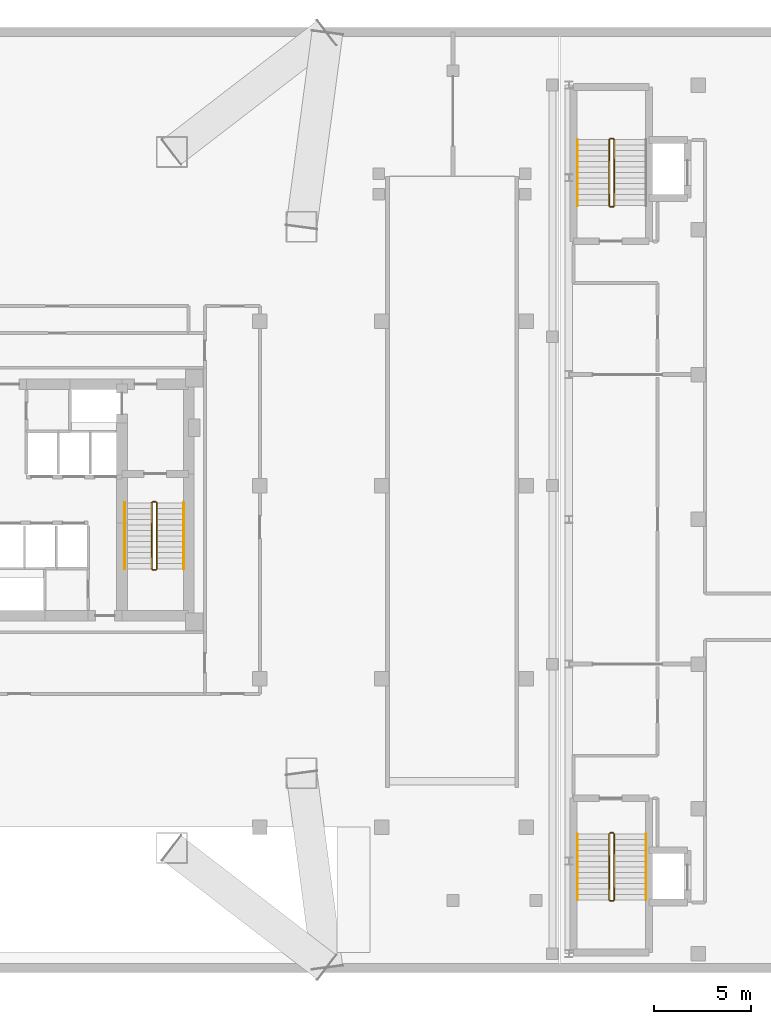
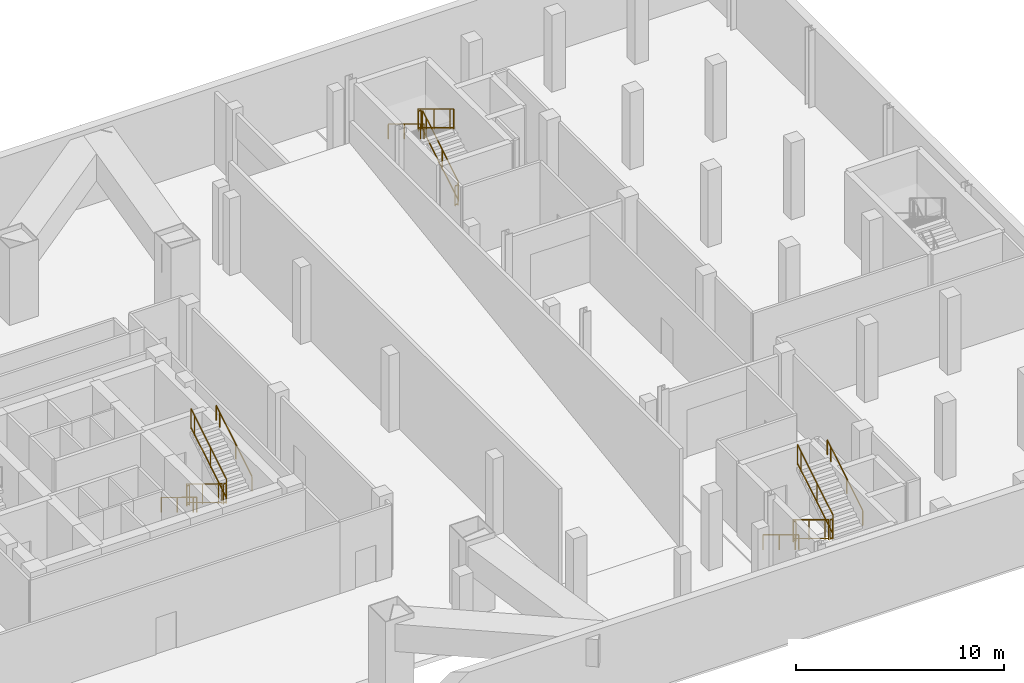
# One storey, part 13 of 14: 17 railings.
"""IFC4 building model written with IfcOpenShell, lengths in metres."""

from ifc_helpers import new_model, si_unit, direction, frame, origin, origin_2d, place, context, subcontext, project, spatial, rectangle, extrude, material, type_object, element, save


model = new_model("IFC4")

# Units and contexts
model_context = context("Model", 3, precision=1e-05, world=origin(), true_north=direction((0.0, 1.0)))
body_context = subcontext(model_context, "Body", "Model", "MODEL_VIEW")
ifc_project = project(units=[si_unit("LENGTHUNIT", "METRE"), si_unit("AREAUNIT", "SQUARE_METRE"), si_unit("VOLUMEUNIT", "CUBIC_METRE"), si_unit("PLANEANGLEUNIT", "RADIAN"), si_unit("MASSUNIT", "GRAM", prefix="KILO")], contexts=[model_context])

# Site, building, storey
site_placement = place(None, origin())
site = spatial("IfcSite", under=ifc_project, at=site_placement, CompositionType="ELEMENT")
building_placement = place(site_placement, origin())
building = spatial("IfcBuilding", under=site, at=building_placement, Name="Mersakhor Tower and Convention Hall", CompositionType="ELEMENT")
storey_placement = place(building_placement, frame((0.0, 0.0, -4.5)))
storey = spatial("IfcBuildingStorey", under=building, at=storey_placement, Name="B01", CompositionType="ELEMENT", Elevation=-4.5)

# Railings
ifc_material_1 = material(Name="Brushed stainless steel handrail", Category="steel")
railing_type_1 = type_object("IfcRailingType", Name="RL-HR-900", PredefinedType="HANDRAIL", material=ifc_material_1)
railing_1_placement = place(storey_placement, frame((32.5, 26.60009765625, 0.173095703125)))
element("IfcRailing", 1, at=railing_1_placement, inside=storey, type_object=railing_type_1, Name="B01 ST-2 stair handrail 1", PredefinedType="HANDRAIL", context=body_context, shape_type="SweptSolid", body=[
    extrude(rectangle(XDim=0.048095703125, YDim=0.048095703125, at=origin_2d()), frame((0.0, 0.0, 0.8759765625), z_axis=(0.0, -0.854745945586, 0.519046595696), x_axis=(1.0, 0.0, 0.0)), (0.0, 0.0, 1.0), 4.00146484375),
    extrude(rectangle(XDim=0.0419921875, YDim=0.0419921875, at=origin_2d()), origin(), (0.0, 0.0, 1.0), 0.851806640625),
    extrude(rectangle(XDim=0.0419921875, YDim=0.0419921875, at=origin_2d()), frame((0.0, -1.53857421875, 0.934326171875)), (0.0, 0.0, 1.0), 0.851806640625),
    extrude(rectangle(XDim=0.0419921875, YDim=0.0419921875, at=origin_2d()), frame((0.0, -3.0771484375, 1.86865234375)), (0.0, 0.0, 1.0), 0.851806640625),
    extrude(rectangle(XDim=0.0419921875, YDim=0.0419921875, at=origin_2d()), frame((0.0, -3.420166015625, 2.076904296875)), (0.0, 0.0, 1.0), 0.851806640625),
])
railing_2_placement = place(storey_placement, frame((35.550048828125, 23.179931640625, 2.423095703125)))
element("IfcRailing", 2, at=railing_2_placement, inside=storey, type_object=railing_type_1, Name="B01 ST-2 stair handrail 2", PredefinedType="HANDRAIL", context=body_context, shape_type="SweptSolid", body=[
    extrude(rectangle(XDim=0.048095703125, YDim=0.048095703125, at=origin_2d()), frame((0.0, 0.0, 0.8759765625), z_axis=(0.0, 0.854745945586, 0.519046595696), x_axis=(-1.0, 0.0, 0.0)), (0.0, 0.0, 1.0), 4.00146484375),
    extrude(rectangle(XDim=0.0419921875, YDim=0.0419921875, at=origin_2d()), origin(), (0.0, 0.0, 1.0), 0.851806640625),
    extrude(rectangle(XDim=0.0419921875, YDim=0.0419921875, at=origin_2d()), frame((0.0, 1.53857421875, 0.934326171875)), (0.0, 0.0, 1.0), 0.851806640625),
    extrude(rectangle(XDim=0.0419921875, YDim=0.0419921875, at=origin_2d()), frame((0.0, 3.0771484375, 1.86865234375)), (0.0, 0.0, 1.0), 0.851806640625),
    extrude(rectangle(XDim=0.0419921875, YDim=0.0419921875, at=origin_2d()), frame((0.0, 3.420166015625, 2.076904296875)), (0.0, 0.0, 1.0), 0.851806640625),
])
railing_3_placement = place(storey_placement, frame((55.949951171875, 9.449951171875, 0.173095703125)))
element("IfcRailing", 3, at=railing_3_placement, inside=storey, type_object=railing_type_1, Name="B01 CH-ST1 stair handrail 1", PredefinedType="HANDRAIL", context=body_context, shape_type="SweptSolid", body=[
    extrude(rectangle(XDim=0.048095703125, YDim=0.048095703125, at=origin_2d()), frame((0.0, 0.0, 0.8759765625), z_axis=(0.0, -0.854729506542, 0.519073665916), x_axis=(1.0, 0.0, 0.0)), (0.0, 0.0, 1.0), 4.001220703125),
    extrude(rectangle(XDim=0.0419921875, YDim=0.0419921875, at=origin_2d()), origin(), (0.0, 0.0, 1.0), 0.851806640625),
    extrude(rectangle(XDim=0.0419921875, YDim=0.0419921875, at=origin_2d()), frame((0.0, -1.53857421875, 0.934326171875)), (0.0, 0.0, 1.0), 0.851806640625),
    extrude(rectangle(XDim=0.0419921875, YDim=0.0419921875, at=origin_2d()), frame((0.0, -3.076904296875, 1.86865234375)), (0.0, 0.0, 1.0), 0.851806640625),
    extrude(rectangle(XDim=0.0419921875, YDim=0.0419921875, at=origin_2d()), frame((0.0, -3.419921875, 2.076904296875)), (0.0, 0.0, 1.0), 0.851806640625),
])
railing_4_placement = place(storey_placement, frame((59.5, 6.030029296875, 2.423095703125)))
element("IfcRailing", 4, at=railing_4_placement, inside=storey, type_object=railing_type_1, Name="B01 CH-ST1 stair handrail 2", PredefinedType="HANDRAIL", context=body_context, shape_type="SweptSolid", body=[
    extrude(rectangle(XDim=0.048095703125, YDim=0.048095703125, at=origin_2d()), frame((0.0, 0.0, 0.8759765625), z_axis=(0.0, 0.854729506542, 0.519073665916), x_axis=(-1.0, 0.0, 0.0)), (0.0, 0.0, 1.0), 4.001220703125),
    extrude(rectangle(XDim=0.0419921875, YDim=0.0419921875, at=origin_2d()), origin(), (0.0, 0.0, 1.0), 0.851806640625),
    extrude(rectangle(XDim=0.0419921875, YDim=0.0419921875, at=origin_2d()), frame((0.0, 1.53857421875, 0.934326171875)), (0.0, 0.0, 1.0), 0.851806640625),
    extrude(rectangle(XDim=0.0419921875, YDim=0.0419921875, at=origin_2d()), frame((0.0, 3.076904296875, 1.86865234375)), (0.0, 0.0, 1.0), 0.851806640625),
    extrude(rectangle(XDim=0.0419921875, YDim=0.0419921875, at=origin_2d()), frame((0.0, 3.419921875, 2.076904296875)), (0.0, 0.0, 1.0), 0.851806640625),
])
railing_5_placement = place(storey_placement, frame((55.949951171875, 45.419921875, 2.423095703125)))
element("IfcRailing", 5, at=railing_5_placement, inside=storey, type_object=railing_type_1, Name="B01 CH-ST2 stair handrail 2", PredefinedType="HANDRAIL", context=body_context, shape_type="SweptSolid", body=[
    extrude(rectangle(XDim=0.048095703125, YDim=0.048095703125, at=origin_2d()), frame((0.0, 0.0, 0.8759765625), z_axis=(0.0, -0.854729506542, 0.519073665916), x_axis=(1.0, 0.0, 0.0)), (0.0, 0.0, 1.0), 4.001220703125),
    extrude(rectangle(XDim=0.0419921875, YDim=0.0419921875, at=origin_2d()), origin(), (0.0, 0.0, 1.0), 0.851806640625),
    extrude(rectangle(XDim=0.0419921875, YDim=0.0419921875, at=origin_2d()), frame((0.0, -1.53857421875, 0.934326171875)), (0.0, 0.0, 1.0), 0.851806640625),
    extrude(rectangle(XDim=0.0419921875, YDim=0.0419921875, at=origin_2d()), frame((0.0, -3.076904296875, 1.86865234375)), (0.0, 0.0, 1.0), 0.851806640625),
    extrude(rectangle(XDim=0.0419921875, YDim=0.0419921875, at=origin_2d()), frame((0.0, -3.419921875, 2.076904296875)), (0.0, 0.0, 1.0), 0.851806640625),
])
ifc_material_2 = material(Name="Painted steel stair balustrade S355", Category="steel")
railing_type_2 = type_object("IfcRailingType", Name="RL-STG-1200", PredefinedType="BALUSTRADE", material=ifc_material_2)
railing_6_placement = place(storey_placement, frame((33.89990234375, 26.60009765625, 0.173095703125)))
element("IfcRailing", 6, at=railing_6_placement, inside=storey, type_object=railing_type_2, Name="B01 ST-2 stair guard 1", PredefinedType="BALUSTRADE", context=body_context, shape_type="SweptSolid", body=[
    extrude(rectangle(XDim=0.048095703125, YDim=0.048095703125, at=origin_2d()), frame((0.0, 0.0, 1.17578125), z_axis=(0.0, -0.854745945586, 0.519046595696), x_axis=(1.0, 0.0, 0.0)), (0.0, 0.0, 1.0), 4.00146484375),
    extrude(rectangle(XDim=0.048095703125, YDim=0.048095703125, at=origin_2d()), frame((0.0, 0.0, 0.080078125), z_axis=(0.0, -0.854745945586, 0.519046595696), x_axis=(1.0, 0.0, 0.0)), (0.0, 0.0, 1.0), 4.00146484375),
    extrude(rectangle(XDim=0.0419921875, YDim=0.0419921875, at=origin_2d()), origin(), (0.0, 0.0, 1.0), 1.15185546875),
    extrude(rectangle(XDim=0.0419921875, YDim=0.0419921875, at=origin_2d()), frame((0.0, -1.53857421875, 0.934326171875)), (0.0, 0.0, 1.0), 1.15185546875),
    extrude(rectangle(XDim=0.0419921875, YDim=0.0419921875, at=origin_2d()), frame((0.0, -3.0771484375, 1.86865234375)), (0.0, 0.0, 1.0), 1.15185546875),
    extrude(rectangle(XDim=0.0419921875, YDim=0.0419921875, at=origin_2d()), frame((0.0, -3.420166015625, 2.076904296875)), (0.0, 0.0, 1.0), 1.15185546875),
])
railing_7_placement = place(storey_placement, frame((33.949951171875, 23.1298828125, 2.25)))
element("IfcRailing", 7, at=railing_7_placement, inside=storey, type_object=railing_type_2, Name="B01 ST-2 stair guard 2", PredefinedType="BALUSTRADE", context=body_context, shape_type="SweptSolid", body=[
    extrude(rectangle(XDim=0.048095703125, YDim=0.048095703125, at=origin_2d()), frame((0.0, 0.0, 1.17578125), z_axis=(1.0, 0.0, 0.0), x_axis=(0.0, 1.0, 0.0)), (0.0, 0.0, 1.0), 0.150146484375),
    extrude(rectangle(XDim=0.048095703125, YDim=0.048095703125, at=origin_2d()), frame((0.0, 0.0, 0.080078125), z_axis=(1.0, 0.0, 0.0), x_axis=(0.0, 1.0, 0.0)), (0.0, 0.0, 1.0), 0.150146484375),
    extrude(rectangle(XDim=0.0419921875, YDim=0.0419921875, at=origin_2d()), origin(), (0.0, 0.0, 1.0), 1.15185546875),
    extrude(rectangle(XDim=0.0419921875, YDim=0.0419921875, at=origin_2d()), frame((0.150146484375, 0.0, 0.0)), (0.0, 0.0, 1.0), 1.15185546875),
])
railing_8_placement = place(storey_placement, frame((34.14990234375, 23.179931640625, 2.423095703125)))
element("IfcRailing", 8, at=railing_8_placement, inside=storey, type_object=railing_type_2, Name="B01 ST-2 stair guard 3", PredefinedType="BALUSTRADE", context=body_context, shape_type="SweptSolid", body=[
    extrude(rectangle(XDim=0.048095703125, YDim=0.048095703125, at=origin_2d()), frame((0.0, 0.0, 1.17578125), z_axis=(0.0, 0.854745945586, 0.519046595696), x_axis=(-1.0, 0.0, 0.0)), (0.0, 0.0, 1.0), 4.00146484375),
    extrude(rectangle(XDim=0.048095703125, YDim=0.048095703125, at=origin_2d()), frame((0.0, 0.0, 0.080078125), z_axis=(0.0, 0.854745945586, 0.519046595696), x_axis=(-1.0, 0.0, 0.0)), (0.0, 0.0, 1.0), 4.00146484375),
    extrude(rectangle(XDim=0.0419921875, YDim=0.0419921875, at=origin_2d()), origin(), (0.0, 0.0, 1.0), 1.15185546875),
    extrude(rectangle(XDim=0.0419921875, YDim=0.0419921875, at=origin_2d()), frame((0.0, 1.53857421875, 0.934326171875)), (0.0, 0.0, 1.0), 1.15185546875),
    extrude(rectangle(XDim=0.0419921875, YDim=0.0419921875, at=origin_2d()), frame((0.0, 3.0771484375, 1.86865234375)), (0.0, 0.0, 1.0), 1.15185546875),
    extrude(rectangle(XDim=0.0419921875, YDim=0.0419921875, at=origin_2d()), frame((0.0, 3.420166015625, 2.076904296875)), (0.0, 0.0, 1.0), 1.15185546875),
])
railing_9_placement = place(storey_placement, frame((33.949951171875, 26.64990234375, 0.0)))
element("IfcRailing", 9, at=railing_9_placement, inside=storey, type_object=railing_type_2, Name="B01 ST-2 stair guard 4", PredefinedType="BALUSTRADE", context=body_context, shape_type="SweptSolid", body=[
    extrude(rectangle(XDim=0.048095703125, YDim=0.048095703125, at=origin_2d()), frame((0.0, 0.0, 1.17578125), z_axis=(1.0, 0.0, 0.0), x_axis=(0.0, 1.0, 0.0)), (0.0, 0.0, 1.0), 0.150146484375),
    extrude(rectangle(XDim=0.048095703125, YDim=0.048095703125, at=origin_2d()), frame((0.0, 0.0, 0.080078125), z_axis=(1.0, 0.0, 0.0), x_axis=(0.0, 1.0, 0.0)), (0.0, 0.0, 1.0), 0.150146484375),
    extrude(rectangle(XDim=0.0419921875, YDim=0.0419921875, at=origin_2d()), origin(), (0.0, 0.0, 1.0), 1.15185546875),
    extrude(rectangle(XDim=0.0419921875, YDim=0.0419921875, at=origin_2d()), frame((0.150146484375, 0.0, 0.0)), (0.0, 0.0, 1.0), 1.15185546875),
])
railing_10_placement = place(storey_placement, frame((57.60009765625, 9.449951171875, 0.173095703125)))
element("IfcRailing", 10, at=railing_10_placement, inside=storey, type_object=railing_type_2, Name="B01 CH-ST1 stair guard 1", PredefinedType="BALUSTRADE", context=body_context, shape_type="SweptSolid", body=[
    extrude(rectangle(XDim=0.048095703125, YDim=0.048095703125, at=origin_2d()), frame((0.0, 0.0, 1.17578125), z_axis=(0.0, -0.854729506542, 0.519073665916), x_axis=(1.0, 0.0, 0.0)), (0.0, 0.0, 1.0), 4.001220703125),
    extrude(rectangle(XDim=0.048095703125, YDim=0.048095703125, at=origin_2d()), frame((0.0, 0.0, 0.080078125), z_axis=(0.0, -0.854729506542, 0.519073665916), x_axis=(1.0, 0.0, 0.0)), (0.0, 0.0, 1.0), 4.001220703125),
    extrude(rectangle(XDim=0.0419921875, YDim=0.0419921875, at=origin_2d()), origin(), (0.0, 0.0, 1.0), 1.15185546875),
    extrude(rectangle(XDim=0.0419921875, YDim=0.0419921875, at=origin_2d()), frame((0.0, -1.53857421875, 0.934326171875)), (0.0, 0.0, 1.0), 1.15185546875),
    extrude(rectangle(XDim=0.0419921875, YDim=0.0419921875, at=origin_2d()), frame((0.0, -3.076904296875, 1.86865234375)), (0.0, 0.0, 1.0), 1.15185546875),
    extrude(rectangle(XDim=0.0419921875, YDim=0.0419921875, at=origin_2d()), frame((0.0, -3.419921875, 2.076904296875)), (0.0, 0.0, 1.0), 1.15185546875),
])
railing_11_placement = place(storey_placement, frame((57.64990234375, 5.97998046875, 2.25)))
element("IfcRailing", 11, at=railing_11_placement, inside=storey, type_object=railing_type_2, Name="B01 CH-ST1 stair guard 2", PredefinedType="BALUSTRADE", context=body_context, shape_type="SweptSolid", body=[
    extrude(rectangle(XDim=0.048095703125, YDim=0.048095703125, at=origin_2d()), frame((0.0, 0.0, 1.17578125), z_axis=(1.0, 0.0, 0.0), x_axis=(0.0, 1.0, 0.0)), (0.0, 0.0, 1.0), 0.150146484375),
    extrude(rectangle(XDim=0.048095703125, YDim=0.048095703125, at=origin_2d()), frame((0.0, 0.0, 0.080078125), z_axis=(1.0, 0.0, 0.0), x_axis=(0.0, 1.0, 0.0)), (0.0, 0.0, 1.0), 0.150146484375),
    extrude(rectangle(XDim=0.0419921875, YDim=0.0419921875, at=origin_2d()), origin(), (0.0, 0.0, 1.0), 1.15185546875),
    extrude(rectangle(XDim=0.0419921875, YDim=0.0419921875, at=origin_2d()), frame((0.150146484375, 0.0, 0.0)), (0.0, 0.0, 1.0), 1.15185546875),
])
railing_12_placement = place(storey_placement, frame((57.85009765625, 6.030029296875, 2.423095703125)))
element("IfcRailing", 12, at=railing_12_placement, inside=storey, type_object=railing_type_2, Name="B01 CH-ST1 stair guard 3", PredefinedType="BALUSTRADE", context=body_context, shape_type="SweptSolid", body=[
    extrude(rectangle(XDim=0.048095703125, YDim=0.048095703125, at=origin_2d()), frame((0.0, 0.0, 1.17578125), z_axis=(0.0, 0.854729506542, 0.519073665916), x_axis=(-1.0, 0.0, 0.0)), (0.0, 0.0, 1.0), 4.001220703125),
    extrude(rectangle(XDim=0.048095703125, YDim=0.048095703125, at=origin_2d()), frame((0.0, 0.0, 0.080078125), z_axis=(0.0, 0.854729506542, 0.519073665916), x_axis=(-1.0, 0.0, 0.0)), (0.0, 0.0, 1.0), 4.001220703125),
    extrude(rectangle(XDim=0.0419921875, YDim=0.0419921875, at=origin_2d()), origin(), (0.0, 0.0, 1.0), 1.15185546875),
    extrude(rectangle(XDim=0.0419921875, YDim=0.0419921875, at=origin_2d()), frame((0.0, 1.53857421875, 0.934326171875)), (0.0, 0.0, 1.0), 1.15185546875),
    extrude(rectangle(XDim=0.0419921875, YDim=0.0419921875, at=origin_2d()), frame((0.0, 3.076904296875, 1.86865234375)), (0.0, 0.0, 1.0), 1.15185546875),
    extrude(rectangle(XDim=0.0419921875, YDim=0.0419921875, at=origin_2d()), frame((0.0, 3.419921875, 2.076904296875)), (0.0, 0.0, 1.0), 1.15185546875),
])
railing_13_placement = place(storey_placement, frame((57.64990234375, 9.5, 0.0)))
element("IfcRailing", 13, at=railing_13_placement, inside=storey, type_object=railing_type_2, Name="B01 CH-ST1 stair guard 4", PredefinedType="BALUSTRADE", context=body_context, shape_type="SweptSolid", body=[
    extrude(rectangle(XDim=0.048095703125, YDim=0.048095703125, at=origin_2d()), frame((0.0, 0.0, 1.17578125), z_axis=(1.0, 0.0, 0.0), x_axis=(0.0, 1.0, 0.0)), (0.0, 0.0, 1.0), 0.150146484375),
    extrude(rectangle(XDim=0.048095703125, YDim=0.048095703125, at=origin_2d()), frame((0.0, 0.0, 0.080078125), z_axis=(1.0, 0.0, 0.0), x_axis=(0.0, 1.0, 0.0)), (0.0, 0.0, 1.0), 0.150146484375),
    extrude(rectangle(XDim=0.0419921875, YDim=0.0419921875, at=origin_2d()), origin(), (0.0, 0.0, 1.0), 1.15185546875),
    extrude(rectangle(XDim=0.0419921875, YDim=0.0419921875, at=origin_2d()), frame((0.150146484375, 0.0, 0.0)), (0.0, 0.0, 1.0), 1.15185546875),
])
railing_14_placement = place(storey_placement, frame((57.85009765625, 42.0, 0.173095703125)))
element("IfcRailing", 14, at=railing_14_placement, inside=storey, type_object=railing_type_2, Name="B01 CH-ST2 stair guard 1", PredefinedType="BALUSTRADE", context=body_context, shape_type="SweptSolid", body=[
    extrude(rectangle(XDim=0.048095703125, YDim=0.048095703125, at=origin_2d()), frame((0.0, 0.0, 1.17578125), z_axis=(0.0, 0.854729506542, 0.519073665916), x_axis=(-1.0, 0.0, 0.0)), (0.0, 0.0, 1.0), 4.001220703125),
    extrude(rectangle(XDim=0.048095703125, YDim=0.048095703125, at=origin_2d()), frame((0.0, 0.0, 0.080078125), z_axis=(0.0, 0.854729506542, 0.519073665916), x_axis=(-1.0, 0.0, 0.0)), (0.0, 0.0, 1.0), 4.001220703125),
    extrude(rectangle(XDim=0.0419921875, YDim=0.0419921875, at=origin_2d()), origin(), (0.0, 0.0, 1.0), 1.15185546875),
    extrude(rectangle(XDim=0.0419921875, YDim=0.0419921875, at=origin_2d()), frame((0.0, 1.53857421875, 0.934326171875)), (0.0, 0.0, 1.0), 1.15185546875),
    extrude(rectangle(XDim=0.0419921875, YDim=0.0419921875, at=origin_2d()), frame((0.0, 3.076904296875, 1.86865234375)), (0.0, 0.0, 1.0), 1.15185546875),
    extrude(rectangle(XDim=0.0419921875, YDim=0.0419921875, at=origin_2d()), frame((0.0, 3.419921875, 2.076904296875)), (0.0, 0.0, 1.0), 1.15185546875),
])
railing_15_placement = place(storey_placement, frame((57.800048828125, 45.469970703125, 2.25)))
element("IfcRailing", 15, at=railing_15_placement, inside=storey, type_object=railing_type_2, Name="B01 CH-ST2 stair guard 2", PredefinedType="BALUSTRADE", context=body_context, shape_type="SweptSolid", body=[
    extrude(rectangle(XDim=0.048095703125, YDim=0.048095703125, at=origin_2d()), frame((0.0, 0.0, 1.17578125), z_axis=(-1.0, 0.0, 0.0), x_axis=(0.0, -1.0, 0.0)), (0.0, 0.0, 1.0), 0.150146484375),
    extrude(rectangle(XDim=0.048095703125, YDim=0.048095703125, at=origin_2d()), frame((0.0, 0.0, 0.080078125), z_axis=(-1.0, 0.0, 0.0), x_axis=(0.0, -1.0, 0.0)), (0.0, 0.0, 1.0), 0.150146484375),
    extrude(rectangle(XDim=0.0419921875, YDim=0.0419921875, at=origin_2d()), origin(), (0.0, 0.0, 1.0), 1.15185546875),
    extrude(rectangle(XDim=0.0419921875, YDim=0.0419921875, at=origin_2d()), frame((-0.150146484375, 0.0, 0.0)), (0.0, 0.0, 1.0), 1.15185546875),
])
railing_16_placement = place(storey_placement, frame((57.60009765625, 45.419921875, 2.423095703125)))
element("IfcRailing", 16, at=railing_16_placement, inside=storey, type_object=railing_type_2, Name="B01 CH-ST2 stair guard 3", PredefinedType="BALUSTRADE", context=body_context, shape_type="SweptSolid", body=[
    extrude(rectangle(XDim=0.048095703125, YDim=0.048095703125, at=origin_2d()), frame((0.0, 0.0, 1.17578125), z_axis=(0.0, -0.854729506542, 0.519073665916), x_axis=(1.0, 0.0, 0.0)), (0.0, 0.0, 1.0), 4.001220703125),
    extrude(rectangle(XDim=0.048095703125, YDim=0.048095703125, at=origin_2d()), frame((0.0, 0.0, 0.080078125), z_axis=(0.0, -0.854729506542, 0.519073665916), x_axis=(1.0, 0.0, 0.0)), (0.0, 0.0, 1.0), 4.001220703125),
    extrude(rectangle(XDim=0.0419921875, YDim=0.0419921875, at=origin_2d()), origin(), (0.0, 0.0, 1.0), 1.15185546875),
    extrude(rectangle(XDim=0.0419921875, YDim=0.0419921875, at=origin_2d()), frame((0.0, -1.53857421875, 0.934326171875)), (0.0, 0.0, 1.0), 1.15185546875),
    extrude(rectangle(XDim=0.0419921875, YDim=0.0419921875, at=origin_2d()), frame((0.0, -3.076904296875, 1.86865234375)), (0.0, 0.0, 1.0), 1.15185546875),
    extrude(rectangle(XDim=0.0419921875, YDim=0.0419921875, at=origin_2d()), frame((0.0, -3.419921875, 2.076904296875)), (0.0, 0.0, 1.0), 1.15185546875),
])
railing_17_placement = place(storey_placement, frame((57.800048828125, 41.949951171875, 0.0)))
element("IfcRailing", 17, at=railing_17_placement, inside=storey, type_object=railing_type_2, Name="B01 CH-ST2 stair guard 4", PredefinedType="BALUSTRADE", context=body_context, shape_type="SweptSolid", body=[
    extrude(rectangle(XDim=0.048095703125, YDim=0.048095703125, at=origin_2d()), frame((0.0, 0.0, 1.17578125), z_axis=(-1.0, 0.0, 0.0), x_axis=(0.0, -1.0, 0.0)), (0.0, 0.0, 1.0), 0.150146484375),
    extrude(rectangle(XDim=0.048095703125, YDim=0.048095703125, at=origin_2d()), frame((0.0, 0.0, 0.080078125), z_axis=(-1.0, 0.0, 0.0), x_axis=(0.0, -1.0, 0.0)), (0.0, 0.0, 1.0), 0.150146484375),
    extrude(rectangle(XDim=0.0419921875, YDim=0.0419921875, at=origin_2d()), origin(), (0.0, 0.0, 1.0), 1.15185546875),
    extrude(rectangle(XDim=0.0419921875, YDim=0.0419921875, at=origin_2d()), frame((-0.150146484375, 0.0, 0.0)), (0.0, 0.0, 1.0), 1.15185546875),
])

save(model, "model.ifc")
